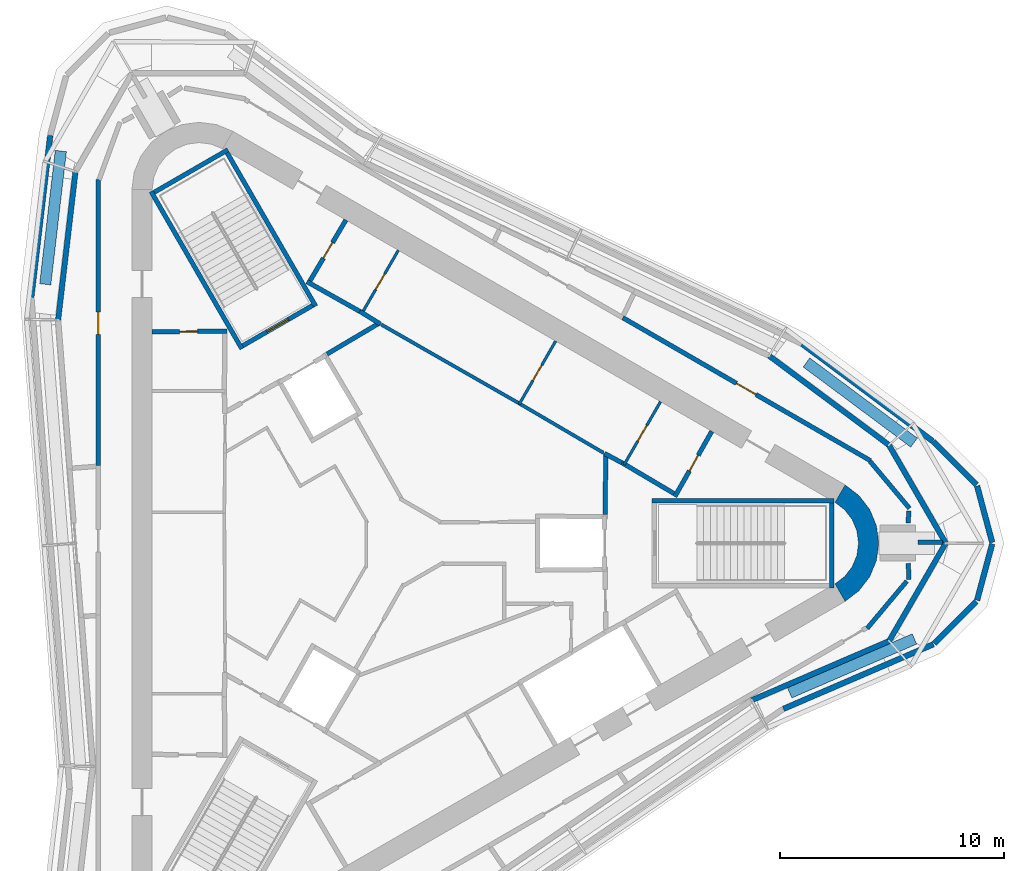
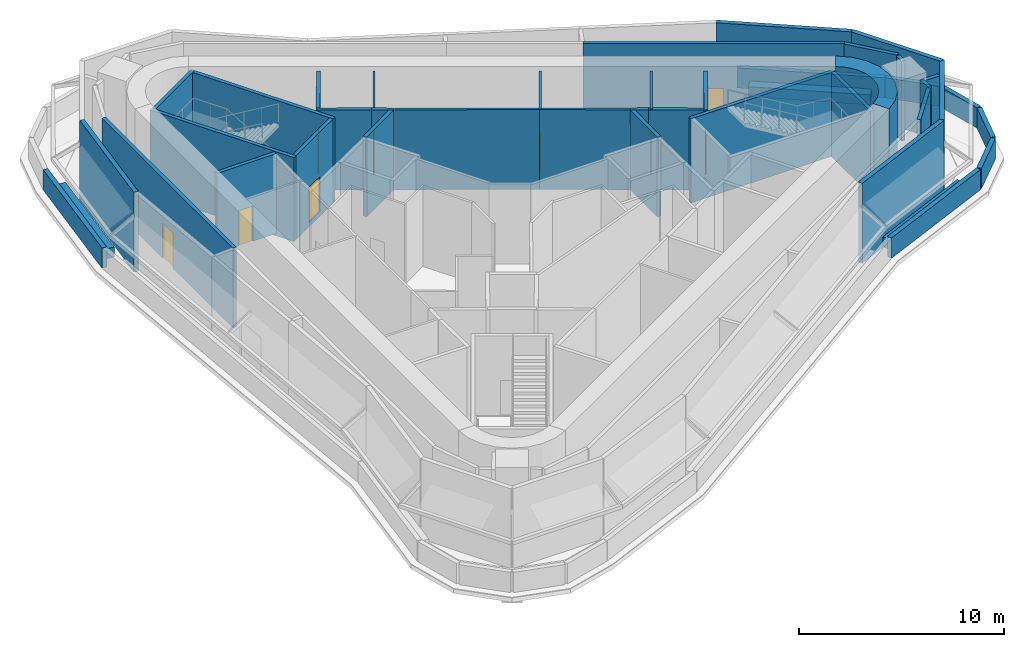
# One storey, part 5 of 7: 43 walls, 9 doors, 9 openings.
"""IFC4 building model written with IfcOpenShell, lengths in metres."""

from ifc_helpers import new_model, si_unit, direction, frame, frame_2d, origin, place, context, subcontext, project, spatial, polyline, rectangle, outline, extrude, material, layer, layer_set, type_object, element, fill, save


model = new_model("IFC4")

# Units and contexts
model_context = context("Model", 3, precision=1e-05, world=origin(), true_north=direction((0.0, 1.0)))
body_context = subcontext(model_context, "Body", "Model", "MODEL_VIEW")
ifc_project = project(units=[si_unit("LENGTHUNIT", "METRE"), si_unit("AREAUNIT", "SQUARE_METRE"), si_unit("VOLUMEUNIT", "CUBIC_METRE"), si_unit("PLANEANGLEUNIT", "RADIAN"), si_unit("MASSUNIT", "GRAM", prefix="KILO")], contexts=[model_context])

# Site, building, storey
site_placement = place(None, origin())
site = spatial("IfcSite", under=ifc_project, at=site_placement, CompositionType="ELEMENT")
building_placement = place(site_placement, origin())
building = spatial("IfcBuilding", under=site, at=building_placement, Name="Tanit Gate Tower", CompositionType="ELEMENT")
storey_placement = place(building_placement, frame((0.0, 0.0, 425.300048828125)))
storey = spatial("IfcBuildingStorey", under=building, at=storey_placement, Name="L96", CompositionType="ELEMENT", Elevation=425.300048828125)

# Walls
ifc_material_1 = material(Name="Concrete C40/50", Category="concrete")
ifc_layer_1 = layer(ifc_material_1, 0.89990234375)
ifc_layer_set_1 = layer_set([ifc_layer_1], Name="CORE WALL 900 C40/50")
wall_type_1 = type_object("IfcWallType", Name="CORE WALL 900 C40/50", PredefinedType="SHEAR", material=ifc_layer_set_1)
wall_1_placement = place(storey_placement, origin())
element("IfcWall", 1, at=wall_1_placement, inside=storey, type_object=wall_type_1, Name="CORE WALL CORNER", PredefinedType="SHEAR", context=body_context, shape_type="SweptSolid", body=[
    extrude(outline(polyline([(19.699951171875, -2.59814453125), (20.3212890625, -2.121337890625), (20.798095703125, -1.5), (21.097900390625, -0.776611328125), (21.199951171875, 0.0), (21.097900390625, 0.776611328125), (20.798095703125, 1.5), (20.3212890625, 2.121337890625), (19.699951171875, 2.59814453125), (19.25, 1.818603515625), (19.684814453125, 1.48486328125), (20.018798828125, 1.050048828125), (20.228515625, 0.54345703125), (20.300048828125, 0.0), (20.228515625, -0.54345703125), (20.018798828125, -1.050048828125), (19.684814453125, -1.48486328125), (19.25, -1.818603515625), (19.699951171875, -2.59814453125)])), origin(), (0.0, 0.0, 1.0), 5.0),
])
ifc_material_2 = material(Name="Concrete C30/37 with bronze anodised aluminium cladding", Category="concrete")
ifc_layer_2 = layer(ifc_material_2, 0.239990234375)
ifc_layer_set_2 = layer_set([ifc_layer_2], Name="Facade wall bronze clad 240")
wall_type_2 = type_object("IfcWallType", Name="Facade wall bronze clad 240", PredefinedType="SOLIDWALL", material=ifc_layer_set_2)
for number, where, z_axis, x_axis, name in (
    (2, (21.654052734375, 4.375, 0.0), (0.0, 0.0, 1.0), (-0.802005747834, 0.597316315231, 0.0), "Bronze-clad facade wall L96 NE1"),
    (3, (-14.61572265625, 16.5654296875, 0.0), (0.0, 0.0, 1.0), (-0.11631164826, -0.993212766973, 0.0), "Bronze-clad facade wall L96 W1"),
):
    element("IfcWall", number, at=place(storey_placement, frame(where, z_axis=z_axis, x_axis=x_axis)), inside=storey, type_object=wall_type_2, Name=name, PredefinedType="SOLIDWALL", context=body_context, shape_type="SweptSolid", body=[
        extrude(rectangle(XDim=6.66015625, YDim=0.239990234375, at=frame_2d((3.330078125, 0.0))), origin(), (0.0, 0.0, 1.0), 4.75),
    ])
wall_2_placement = place(storey_placement, frame((15.53955078125, -7.005126953125, 0.0), z_axis=(0.0, 0.0, 1.0), x_axis=(0.918309861651, 0.395862347281, 0.0)))
element("IfcWall", 4, at=wall_2_placement, inside=storey, type_object=wall_type_2, Name="Bronze-clad facade wall L96 SE3", PredefinedType="SOLIDWALL", context=body_context, shape_type="SweptSolid", body=[
    extrude(rectangle(XDim=6.66943359375, YDim=0.239990234375, at=frame_2d((3.334716796875, 0.0))), origin(), (0.0, 0.0, 1.0), 4.75),
])
wall_3_placement = place(storey_placement, frame((21.6640625, -4.364990234375, 0.0), z_axis=(0.0, 0.0, 1.0), x_axis=(0.500383284559, 0.865804001223, 0.0)))
element("IfcWall", 5, at=wall_3_placement, inside=storey, type_object=wall_type_2, Name="Bronze-clad facade wall L96 E.arc1", PredefinedType="SOLIDWALL", context=body_context, shape_type="SweptSolid", body=[
    extrude(rectangle(XDim=5.04150390625, YDim=0.239990234375, at=frame_2d((2.520751953125, 0.0))), origin(), (0.0, 0.0, 1.0), 4.75),
])
wall_4_placement = place(storey_placement, frame((24.186767578125, 0.0, 0.0), z_axis=(0.0, 0.0, 1.0), x_axis=(-0.501009618021, 0.86544171534, 0.0)))
element("IfcWall", 6, at=wall_4_placement, inside=storey, type_object=wall_type_2, Name="Bronze-clad facade wall L96 E.arc2", PredefinedType="SOLIDWALL", context=body_context, shape_type="SweptSolid", body=[
    extrude(rectangle(XDim=5.05517578125, YDim=0.239990234375, at=frame_2d((2.527587890625, 0.0))), origin(), (0.0, 0.0, 1.0), 4.75),
])

# Wall, opening, door
ifc_material_3 = material(Name="Fire-rated gypsum board partition")
ifc_layer_3 = layer(ifc_material_3, 0.199951171875)
ifc_layer_set_3 = layer_set([ifc_layer_3], Name="INT-WALL-COMPARTMENT")
wall_type_3 = type_object("IfcWallType", Name="INT-WALL-COMPARTMENT", PredefinedType="PARTITIONING", material=ifc_layer_set_3)
wall_5_placement = place(storey_placement, frame((-7.85009765625, 9.450927734375, 0.0), z_axis=(0.0, 0.0, 1.0), x_axis=(-0.999957167047, -0.009255488683, 0.0)))
wall_5 = element("IfcWall", 7, at=wall_5_placement, inside=storey, type_object=wall_type_3, Name="Wall Compartment W034", PredefinedType="PARTITIONING", context=body_context, shape_type="SweptSolid", body=[
    extrude(rectangle(XDim=3.35009765625, YDim=0.199951171875, at=frame_2d((1.675048828125, 0.0))), origin(), (0.0, 0.0, 1.0), 4.75),
])
opening_1_placement = place(wall_5_placement, frame((1.3251953125, 0.0, 0.0)))
opening_1 = element("IfcOpeningElement", 8, at=opening_1_placement, cuts=wall_5, Name="Opening R08-96-14", PredefinedType="OPENING", context=body_context, shape_type="SweptSolid", body=[
    extrude(rectangle(XDim=0.800048828125, YDim=2.10009765625, at=frame_2d((0.39990234375, 1.050048828125))), frame((0.0, 0.10986328125, 0.0), z_axis=(0.0, -1.0, 0.0), x_axis=(1.0, 0.0, 0.0)), (0.0, 0.0, 1.0), 0.219970703125),
])
ifc_material_4 = material(Name="Timber door leaf", Category="wood")
door_type_1 = type_object("IfcDoorType", Name="INT-DOOR-RISER-800", OperationType="NOTDEFINED", PredefinedType="USERDEFINED", material=ifc_material_4)
door_1_placement = place(opening_1_placement, origin())
door_1 = element("IfcDoor", 9, at=door_1_placement, inside=storey, type_object=door_type_1, Name="Door R08-96-14", ObjectType="FIRE DOOR", OperationType="SINGLE_SWING_RIGHT", OverallHeight=2.10009765625, OverallWidth=0.800048828125, PredefinedType="USERDEFINED", context=body_context, shape_type="SweptSolid", body=[
    extrude(rectangle(XDim=0.800048828125, YDim=2.10009765625, at=frame_2d((0.39990234375, 1.050048828125))), frame((0.0, 0.02490234375, 0.0), z_axis=(0.0, -1.0, 0.0), x_axis=(1.0, 0.0, 0.0)), (0.0, 0.0, 1.0), 0.050048828125),
])
fill(opening_1, door_1)

wall_6_placement = place(storey_placement, frame((12.10986328125, 2.07275390625, 0.0), z_axis=(0.0, 0.0, 1.0), x_axis=(0.49196600604, 0.870614408852, 0.0)))
wall_6 = element("IfcWall", 10, at=wall_6_placement, inside=storey, type_object=wall_type_3, Name="Wall Compartment W047", PredefinedType="PARTITIONING", context=body_context, shape_type="SweptSolid", body=[
    extrude(rectangle(XDim=3.35009765625, YDim=0.199951171875, at=frame_2d((1.675048828125, 0.0))), origin(), (0.0, 0.0, 1.0), 4.75),
])
opening_2_placement = place(wall_6_placement, frame((1.3251953125, 0.0, 0.0)))
opening_2 = element("IfcOpeningElement", 11, at=opening_2_placement, cuts=wall_6, Name="Opening R08-96-18", PredefinedType="OPENING", context=body_context, shape_type="SweptSolid", body=[
    extrude(rectangle(XDim=0.800048828125, YDim=2.10009765625, at=frame_2d((0.39990234375, 1.050048828125))), frame((0.0, 0.10986328125, 0.0), z_axis=(0.0, -1.0, 0.0), x_axis=(1.0, 0.0, 0.0)), (0.0, 0.0, 1.0), 0.219970703125),
])
door_2_placement = place(opening_2_placement, origin())
door_2 = element("IfcDoor", 12, at=door_2_placement, inside=storey, type_object=door_type_1, Name="Door R08-96-18", ObjectType="FIRE DOOR", OperationType="SINGLE_SWING_LEFT", OverallHeight=2.10009765625, OverallWidth=0.800048828125, PredefinedType="USERDEFINED", context=body_context, shape_type="SweptSolid", body=[
    extrude(rectangle(XDim=0.800048828125, YDim=2.10009765625, at=frame_2d((0.39990234375, 1.050048828125))), frame((0.0, 0.02490234375, 0.0), z_axis=(0.0, -1.0, 0.0), x_axis=(1.0, 0.0, 0.0)), (0.0, 0.0, 1.0), 0.050048828125),
])
fill(opening_2, door_2)

# Walls
wall_7_placement = place(storey_placement, frame((9.749755859375, 3.5869140625, 0.0), z_axis=(0.0, 0.0, 1.0), x_axis=(0.860414880418, -0.509594185166, 0.0)))
element("IfcWall", 13, at=wall_7_placement, inside=storey, type_object=wall_type_3, Name="Wall Compartment W048", PredefinedType="PARTITIONING", context=body_context, shape_type="SweptSolid", body=[
    extrude(rectangle(XDim=2.7001953125, YDim=0.199951171875, at=frame_2d((1.35009765625, 0.0))), origin(), (0.0, 0.0, 1.0), 4.75),
])
wall_8_placement = place(storey_placement, frame((8.97412109375, 3.998779296875, 0.0), z_axis=(0.0, 0.0, 1.0), x_axis=(0.880917147855, -0.473270513147, 0.0)))
element("IfcWall", 14, at=wall_8_placement, inside=storey, type_object=wall_type_3, Name="Wall Compartment W050", PredefinedType="PARTITIONING", context=body_context, shape_type="SweptSolid", body=[
    extrude(rectangle(XDim=0.8779296875, YDim=0.199951171875, at=frame_2d((0.43896484375, 0.0))), origin(), (0.0, 0.0, 1.0), 4.75),
])
wall_9_placement = place(storey_placement, frame((-1.940673828125, 10.338623046875, 0.0), z_axis=(0.0, 0.0, 1.0), x_axis=(0.850216889117, -0.526432561171, 0.0)))
element("IfcWall", 15, at=wall_9_placement, inside=storey, type_object=wall_type_3, Name="Wall Compartment W053", PredefinedType="PARTITIONING", context=body_context, shape_type="SweptSolid", body=[
    extrude(rectangle(XDim=1.078369140625, YDim=0.199951171875, at=frame_2d((0.5390625, 0.0))), origin(), (0.0, 0.0, 1.0), 4.75),
])
wall_10_placement = place(storey_placement, frame((-4.296142578125, 11.658935546875, 0.0), z_axis=(0.0, 0.0, 1.0), x_axis=(0.871534483978, -0.490334215854, 0.0)))
element("IfcWall", 16, at=wall_10_placement, inside=storey, type_object=wall_type_3, Name="Wall Compartment W055", PredefinedType="PARTITIONING", context=body_context, shape_type="SweptSolid", body=[
    extrude(rectangle(XDim=2.7001953125, YDim=0.199951171875, at=frame_2d((1.35009765625, 0.0))), origin(), (0.0, 0.0, 1.0), 4.75),
])

# Wall, opening, door
wall_11_placement = place(storey_placement, frame((-2.557861328125, 14.409423828125, 0.0), z_axis=(0.0, 0.0, 1.0), x_axis=(-0.508018930956, -0.861345903683, 0.0)))
wall_11 = element("IfcWall", 17, at=wall_11_placement, inside=storey, type_object=wall_type_3, Name="Wall Compartment W056", PredefinedType="PARTITIONING", context=body_context, shape_type="SweptSolid", body=[
    extrude(rectangle(XDim=3.150146484375, YDim=0.199951171875, at=frame_2d((1.5751953125, 0.0))), origin(), (0.0, 0.0, 1.0), 4.75),
])
opening_3_placement = place(wall_11_placement, frame((1.175048828125, 0.0, 0.0)))
opening_3 = element("IfcOpeningElement", 18, at=opening_3_placement, cuts=wall_11, Name="Opening R08-96-20", PredefinedType="OPENING", context=body_context, shape_type="SweptSolid", body=[
    extrude(rectangle(XDim=0.800048828125, YDim=2.10009765625, at=frame_2d((0.39990234375, 1.050048828125))), frame((0.0, 0.10986328125, 0.0), z_axis=(0.0, -1.0, 0.0), x_axis=(1.0, 0.0, 0.0)), (0.0, 0.0, 1.0), 0.219970703125),
])
door_3_placement = place(opening_3_placement, origin())
door_3 = element("IfcDoor", 19, at=door_3_placement, inside=storey, type_object=door_type_1, Name="Door R08-96-20", ObjectType="FIRE DOOR", OperationType="SINGLE_SWING_LEFT", OverallHeight=2.10009765625, OverallWidth=0.800048828125, PredefinedType="USERDEFINED", context=body_context, shape_type="SweptSolid", body=[
    extrude(rectangle(XDim=0.800048828125, YDim=2.10009765625, at=frame_2d((0.39990234375, 1.050048828125))), frame((0.0, 0.02490234375, 0.0), z_axis=(0.0, -1.0, 0.0), x_axis=(1.0, 0.0, 0.0)), (0.0, 0.0, 1.0), 0.050048828125),
])
fill(opening_3, door_3)

# Walls
for number, where, z_axis, x_axis, name in (
    (20, (9.0009765625, 1.27001953125, 0.0), (0.0, 0.0, 1.0), (0.01074821465, 0.999942236273, 0.0), "Wall Compartment W064"),
    (21, (-1.0546875, 9.818359375, 0.0), (0.0, 0.0, 1.0), (-0.860614334655, -0.50925726994, 0.0), "Wall Compartment W066"),
):
    element("IfcWall", number, at=place(storey_placement, frame(where, z_axis=z_axis, x_axis=x_axis)), inside=storey, type_object=wall_type_3, Name=name, PredefinedType="PARTITIONING", context=body_context, shape_type="SweptSolid", body=[
        extrude(rectangle(XDim=2.725830078125, YDim=0.199951171875, at=frame_2d((1.36279296875, 0.0))), origin(), (0.0, 0.0, 1.0), 4.75),
    ])

# Wall, opening, door
wall_12_placement = place(storey_placement, frame((-13.60009765625, 16.20556640625, 0.0), z_axis=(0.0, 0.0, 1.0), x_axis=(0.0, -1.0, 0.0)))
wall_12 = element("IfcWall", 22, at=wall_12_placement, inside=storey, type_object=wall_type_3, Name="Wall Compartment W090", PredefinedType="PARTITIONING", context=body_context, shape_type="SweptSolid", body=[
    extrude(rectangle(XDim=12.750244140625, YDim=0.199951171875, at=frame_2d((6.375, 0.0))), origin(), (0.0, 0.0, 1.0), 4.75),
])
opening_4_placement = place(wall_12_placement, frame((5.89990234375, 0.0, 0.0)))
opening_4 = element("IfcOpeningElement", 23, at=opening_4_placement, cuts=wall_12, Name="Opening F10-96-24", PredefinedType="OPENING", context=body_context, shape_type="SweptSolid", body=[
    extrude(rectangle(XDim=1.0, YDim=2.10009765625, at=frame_2d((0.5, 1.050048828125))), frame((0.0, 0.10986328125, 0.0), z_axis=(0.0, -1.0, 0.0), x_axis=(1.0, 0.0, 0.0)), (0.0, 0.0, 1.0), 0.219970703125),
])
ifc_material_5 = material(Name="Fire-rated steel door leaf", Category="steel")
door_type_2 = type_object("IfcDoorType", Name="INT-DOOR-FIRE-1000", OperationType="NOTDEFINED", PredefinedType="USERDEFINED", material=ifc_material_5)
door_4_placement = place(opening_4_placement, origin())
door_4 = element("IfcDoor", 24, at=door_4_placement, inside=storey, type_object=door_type_2, Name="Door F10-96-24", ObjectType="FIRE DOOR", OperationType="SINGLE_SWING_LEFT", OverallHeight=2.10009765625, OverallWidth=1.0, PredefinedType="USERDEFINED", context=body_context, shape_type="SweptSolid", body=[
    extrude(rectangle(XDim=1.0, YDim=2.10009765625, at=frame_2d((0.5, 1.050048828125))), frame((0.0, 0.02490234375, 0.0), z_axis=(0.0, -1.0, 0.0), x_axis=(1.0, 0.0, 0.0)), (0.0, 0.0, 1.0), 0.050048828125),
])
fill(opening_4, door_4)

wall_13_placement = place(storey_placement, frame((20.83447265625, 3.67529296875, 0.0), z_axis=(0.0, 0.0, 1.0), x_axis=(-0.866033490305, 0.499985993474, 0.0)))
wall_13 = element("IfcWall", 25, at=wall_13_placement, inside=storey, type_object=wall_type_3, Name="Wall Compartment W102", PredefinedType="PARTITIONING", context=body_context, shape_type="SweptSolid", body=[
    extrude(rectangle(XDim=12.750244140625, YDim=0.199951171875, at=frame_2d((6.375, 0.0))), origin(), (0.0, 0.0, 1.0), 4.75),
])
opening_5_placement = place(wall_13_placement, frame((5.89990234375, 0.0, 0.0)))
opening_5 = element("IfcOpeningElement", 26, at=opening_5_placement, cuts=wall_13, Name="Opening F10-96-27", PredefinedType="OPENING", context=body_context, shape_type="SweptSolid", body=[
    extrude(rectangle(XDim=1.0, YDim=2.10009765625, at=frame_2d((0.5, 1.050048828125))), frame((0.0, 0.10986328125, 0.0), z_axis=(0.0, -1.0, 0.0), x_axis=(1.0, 0.0, 0.0)), (0.0, 0.0, 1.0), 0.219970703125),
])
door_5_placement = place(opening_5_placement, origin())
door_5 = element("IfcDoor", 27, at=door_5_placement, inside=storey, type_object=door_type_2, Name="Door F10-96-27", ObjectType="FIRE DOOR", OperationType="SINGLE_SWING_RIGHT", OverallHeight=2.10009765625, OverallWidth=1.0, PredefinedType="USERDEFINED", context=body_context, shape_type="SweptSolid", body=[
    extrude(rectangle(XDim=1.0, YDim=2.10009765625, at=frame_2d((0.5, 1.050048828125))), frame((0.0, 0.02490234375, 0.0), z_axis=(0.0, -1.0, 0.0), x_axis=(1.0, 0.0, 0.0)), (0.0, 0.0, 1.0), 0.050048828125),
])
fill(opening_5, door_5)

# Walls
wall_14_placement = place(storey_placement, frame((22.5712890625, 1.552001953125, 0.0), z_axis=(0.0, 0.0, 1.0), x_axis=(-0.642777788023, 0.766052684366, 0.0)))
element("IfcWall", 28, at=wall_14_placement, inside=storey, type_object=wall_type_3, Name="Wall Compartment W103", PredefinedType="PARTITIONING", context=body_context, shape_type="SweptSolid", body=[
    extrude(rectangle(XDim=2.737060546875, YDim=0.199951171875, at=frame_2d((1.36865234375, 0.0))), origin(), (0.0, 0.0, 1.0), 4.75),
])
wall_15_placement = place(storey_placement, frame((22.51611328125, 0.89990234375, 0.0), z_axis=(0.0, 0.0, 1.0), x_axis=(0.044289222506, 0.99901875096, 0.0)))
element("IfcWall", 29, at=wall_15_placement, inside=storey, type_object=wall_type_3, Name="Wall Compartment W104", PredefinedType="PARTITIONING", context=body_context, shape_type="SweptSolid", body=[
    extrude(rectangle(XDim=0.53466796875, YDim=0.199951171875, at=frame_2d((0.267333984375, 0.0))), origin(), (0.0, 0.0, 1.0), 4.75),
])
wall_16_placement = place(storey_placement, frame((22.951171875, 0.030029296875, 0.0), z_axis=(0.0, 0.0, 1.0), x_axis=(1.0, 0.0, 0.0)))
element("IfcWall", 30, at=wall_16_placement, inside=storey, type_object=wall_type_3, Name="Wall Compartment W110", PredefinedType="PARTITIONING", context=body_context, shape_type="SweptSolid", body=[
    extrude(rectangle(XDim=1.09814453125, YDim=0.199951171875, at=frame_2d((0.549072265625, 0.0))), origin(), (0.0, 0.0, 1.0), 3.929931640625),
])
wall_17_placement = place(storey_placement, frame((22.5478515625, -1.620849609375, 0.0), z_axis=(0.0, 0.0, 1.0), x_axis=(-0.043980430429, 0.999032392738, 0.0)))
element("IfcWall", 31, at=wall_17_placement, inside=storey, type_object=wall_type_3, Name="Wall Compartment W116", PredefinedType="PARTITIONING", context=body_context, shape_type="SweptSolid", body=[
    extrude(rectangle(XDim=0.7216796875, YDim=0.199951171875, at=frame_2d((0.36083984375, 0.0))), origin(), (0.0, 0.0, 1.0), 4.75),
])
wall_18_placement = place(storey_placement, frame((20.68359375, -3.8017578125, 0.0), z_axis=(0.0, 0.0, 1.0), x_axis=(0.642800550542, 0.766033584265, 0.0)))
element("IfcWall", 32, at=wall_18_placement, inside=storey, type_object=wall_type_3, Name="Wall Compartment W117", PredefinedType="PARTITIONING", context=body_context, shape_type="SweptSolid", body=[
    extrude(rectangle(XDim=2.749755859375, YDim=0.199951171875, at=frame_2d((1.375, 0.0))), origin(), (0.0, 0.0, 1.0), 4.75),
])

# Wall, opening, door
ifc_material_6 = material(Name="Gypsum board partition")
ifc_layer_4 = layer(ifc_material_6, 0.1201171875)
ifc_layer_set_4 = layer_set([ifc_layer_4], Name="INT-WALL-PARTITION")
wall_type_4 = type_object("IfcWallType", Name="INT-WALL-PARTITION", PredefinedType="PARTITIONING", material=ifc_layer_set_4)
wall_19_placement = place(storey_placement, frame((9.8466796875, 3.494873046875, 0.0), z_axis=(0.0, 0.0, 1.0), x_axis=(0.499984717929, 0.866034226713, 0.0)))
wall_19 = element("IfcWall", 33, at=wall_19_placement, inside=storey, type_object=wall_type_4, Name="Wall Partition W046", PredefinedType="PARTITIONING", context=body_context, shape_type="SweptSolid", body=[
    extrude(rectangle(XDim=3.25, YDim=0.1201171875, at=frame_2d((1.625, 0.0))), origin(), (0.0, 0.0, 1.0), 4.75),
])
opening_6_placement = place(wall_19_placement, frame((1.22509765625, 0.0, 0.0)))
opening_6 = element("IfcOpeningElement", 34, at=opening_6_placement, cuts=wall_19, Name="Opening R08-96-33", PredefinedType="OPENING", context=body_context, shape_type="SweptSolid", body=[
    extrude(rectangle(XDim=0.800048828125, YDim=2.10009765625, at=frame_2d((0.39990234375, 1.050048828125))), frame((0.0, 0.070068359375, 0.0), z_axis=(0.0, -1.0, 0.0), x_axis=(1.0, 0.0, 0.0)), (0.0, 0.0, 1.0), 0.14013671875),
])
door_6_placement = place(opening_6_placement, origin())
door_6 = element("IfcDoor", 35, at=door_6_placement, inside=storey, type_object=door_type_1, Name="Door R08-96-33", ObjectType="FIRE DOOR", OperationType="SINGLE_SWING_RIGHT", OverallHeight=2.10009765625, OverallWidth=0.800048828125, PredefinedType="USERDEFINED", context=body_context, shape_type="SweptSolid", body=[
    extrude(rectangle(XDim=0.800048828125, YDim=2.10009765625, at=frame_2d((0.39990234375, 1.050048828125))), frame((0.0, 0.02490234375, 0.0), z_axis=(0.0, -1.0, 0.0), x_axis=(1.0, 0.0, 0.0)), (0.0, 0.0, 1.0), 0.050048828125),
])
fill(opening_6, door_6)

wall_20_placement = place(storey_placement, frame((5.170166015625, 6.19482421875, 0.0), z_axis=(0.0, 0.0, 1.0), x_axis=(0.499984717929, 0.866034226713, 0.0)))
wall_20 = element("IfcWall", 36, at=wall_20_placement, inside=storey, type_object=wall_type_4, Name="Wall Partition W049", PredefinedType="PARTITIONING", context=body_context, shape_type="SweptSolid", body=[
    extrude(rectangle(XDim=3.25, YDim=0.1201171875, at=frame_2d((1.625, 0.0))), origin(), (0.0, 0.0, 1.0), 4.75),
])
opening_7_placement = place(wall_20_placement, frame((1.22509765625, 0.0, 0.0)))
opening_7 = element("IfcOpeningElement", 37, at=opening_7_placement, cuts=wall_20, Name="Opening R08-96-19", PredefinedType="OPENING", context=body_context, shape_type="SweptSolid", body=[
    extrude(rectangle(XDim=0.800048828125, YDim=2.10009765625, at=frame_2d((0.39990234375, 1.050048828125))), frame((0.0, 0.070068359375, 0.0), z_axis=(0.0, -1.0, 0.0), x_axis=(1.0, 0.0, 0.0)), (0.0, 0.0, 1.0), 0.14013671875),
])
door_7_placement = place(opening_7_placement, origin())
door_7 = element("IfcDoor", 38, at=door_7_placement, inside=storey, type_object=door_type_1, Name="Door R08-96-19", ObjectType="FIRE DOOR", OperationType="SINGLE_SWING_RIGHT", OverallHeight=2.10009765625, OverallWidth=0.800048828125, PredefinedType="USERDEFINED", context=body_context, shape_type="SweptSolid", body=[
    extrude(rectangle(XDim=0.800048828125, YDim=2.10009765625, at=frame_2d((0.39990234375, 1.050048828125))), frame((0.0, 0.02490234375, 0.0), z_axis=(0.0, -1.0, 0.0), x_axis=(1.0, 0.0, 0.0)), (0.0, 0.0, 1.0), 0.050048828125),
])
fill(opening_7, door_7)

wall_21_placement = place(storey_placement, frame((-0.2197265625, 13.0595703125, 0.0), z_axis=(0.0, 0.0, 1.0), x_axis=(-0.499984717929, -0.866034226713, 0.0)))
wall_21 = element("IfcWall", 39, at=wall_21_placement, inside=storey, type_object=wall_type_4, Name="Wall Partition W052", PredefinedType="PARTITIONING", context=body_context, shape_type="SweptSolid", body=[
    extrude(rectangle(XDim=3.25, YDim=0.1201171875, at=frame_2d((1.625, 0.0))), origin(), (0.0, 0.0, 1.0), 4.75),
])
opening_8_placement = place(wall_21_placement, frame((1.22509765625, 0.0, 0.0)))
opening_8 = element("IfcOpeningElement", 40, at=opening_8_placement, cuts=wall_21, Name="Opening R08-96-34", PredefinedType="OPENING", context=body_context, shape_type="SweptSolid", body=[
    extrude(rectangle(XDim=0.800048828125, YDim=2.10009765625, at=frame_2d((0.39990234375, 1.050048828125))), frame((0.0, 0.070068359375, 0.0), z_axis=(0.0, -1.0, 0.0), x_axis=(1.0, 0.0, 0.0)), (0.0, 0.0, 1.0), 0.14013671875),
])
door_8_placement = place(opening_8_placement, origin())
door_8 = element("IfcDoor", 41, at=door_8_placement, inside=storey, type_object=door_type_1, Name="Door R08-96-34", ObjectType="FIRE DOOR", OperationType="SINGLE_SWING_RIGHT", OverallHeight=2.10009765625, OverallWidth=0.800048828125, PredefinedType="USERDEFINED", context=body_context, shape_type="SweptSolid", body=[
    extrude(rectangle(XDim=0.800048828125, YDim=2.10009765625, at=frame_2d((0.39990234375, 1.050048828125))), frame((0.0, 0.02490234375, 0.0), z_axis=(0.0, -1.0, 0.0), x_axis=(1.0, 0.0, 0.0)), (0.0, 0.0, 1.0), 0.050048828125),
])
fill(opening_8, door_8)

# Walls
ifc_material_7 = material(Name="Fire-rated gypsum board partition")
ifc_layer_5 = layer(ifc_material_7, 0.14990234375)
ifc_layer_set_5 = layer_set([ifc_layer_5], Name="INT-WALL-RISER")
wall_type_5 = type_object("IfcWallType", Name="INT-WALL-RISER", PredefinedType="PLUMBINGWALL", material=ifc_layer_set_5)
wall_22_placement = place(storey_placement, frame((8.9306640625, 4.024658203125, 0.0), z_axis=(0.0, 0.0, 1.0), x_axis=(-0.862666884027, 0.505772525157, 0.0)))
element("IfcWall", 42, at=wall_22_placement, inside=storey, type_object=wall_type_5, Name="Wall Riser W051", PredefinedType="PLUMBINGWALL", context=body_context, shape_type="SweptSolid", body=[
    extrude(rectangle(XDim=4.371826171875, YDim=0.14990234375, at=frame_2d((2.18603515625, 0.0))), origin(), (0.0, 0.0, 1.0), 4.75),
])
wall_23_placement = place(storey_placement, frame((5.1591796875, 6.23583984375, 0.0), z_axis=(0.0, 0.0, 1.0), x_axis=(-0.868105023632, 0.496380567654, 0.0)))
element("IfcWall", 43, at=wall_23_placement, inside=storey, type_object=wall_type_5, Name="Wall Riser W054", PredefinedType="PLUMBINGWALL", context=body_context, shape_type="SweptSolid", body=[
    extrude(rectangle(XDim=7.072265625, YDim=0.14990234375, at=frame_2d((3.5361328125, 0.0))), origin(), (0.0, 0.0, 1.0), 4.75),
])
ifc_material_8 = material(Name="Concrete C40/50", Category="concrete")
ifc_layer_6 = layer(ifc_material_8, 0.199951171875)
ifc_layer_set_6 = layer_set([ifc_layer_6], Name="INT-WALL-STAIR")
wall_type_6 = type_object("IfcWallType", Name="INT-WALL-STAIR", PredefinedType="SHEAR", material=ifc_layer_set_6)
wall_24_placement = place(storey_placement, frame((19.199951171875, 1.89990234375, -0.25), z_axis=(0.0, 0.0, 1.0), x_axis=(-1.0, 0.0, 0.0)))
element("IfcWall", 44, at=wall_24_placement, inside=storey, type_object=wall_type_6, Name="Wall Stair W006", PredefinedType="SHEAR", context=body_context, shape_type="SweptSolid", body=[
    extrude(rectangle(XDim=8.099853515625, YDim=0.199951171875, at=frame_2d((4.0498046875, 0.0))), origin(), (0.0, 0.0, 1.0), 5.0),
])
wall_25_placement = place(storey_placement, frame((19.10009765625, -2.0, -0.25), z_axis=(0.0, 0.0, 1.0), x_axis=(0.0, 1.0, 0.0)))
element("IfcWall", 45, at=wall_25_placement, inside=storey, type_object=wall_type_6, Name="Wall Stair W007", PredefinedType="SHEAR", context=body_context, shape_type="SweptSolid", body=[
    extrude(rectangle(XDim=3.800048828125, YDim=0.199951171875, at=frame_2d((1.89990234375, 0.0))), origin(), (0.0, 0.0, 1.0), 5.0),
])
wall_26_placement = place(storey_placement, frame((-11.245361328125, 15.677734375, -0.25), z_axis=(0.0, 0.0, 1.0), x_axis=(0.499977274689, -0.866038523851, 0.0)))
element("IfcWall", 46, at=wall_26_placement, inside=storey, type_object=wall_type_6, Name="Wall Stair W015", PredefinedType="SHEAR", context=body_context, shape_type="SweptSolid", body=[
    extrude(rectangle(XDim=8.10009765625, YDim=0.199951171875, at=frame_2d((4.050048828125, 0.0))), origin(), (0.0, 0.0, 1.0), 5.0),
])
wall_27_placement = place(storey_placement, frame((-7.81787109375, 17.541015625, -0.25), z_axis=(0.0, 0.0, 1.0), x_axis=(-0.866044365799, -0.499967155389, 0.0)))
element("IfcWall", 47, at=wall_27_placement, inside=storey, type_object=wall_type_6, Name="Wall Stair W016", PredefinedType="SHEAR", context=body_context, shape_type="SweptSolid", body=[
    extrude(rectangle(XDim=3.800048828125, YDim=0.199951171875, at=frame_2d((1.89990234375, 0.0))), origin(), (0.0, 0.0, 1.0), 5.0),
])
wall_28_placement = place(storey_placement, frame((-7.8544921875, 17.404541015625, -0.25), z_axis=(0.0, 0.0, 1.0), x_axis=(0.499997992926, -0.866026562566, 0.0)))
element("IfcWall", 48, at=wall_28_placement, inside=storey, type_object=wall_type_6, Name="Wall Stair W017", PredefinedType="SHEAR", context=body_context, shape_type="SweptSolid", body=[
    extrude(rectangle(XDim=7.89990234375, YDim=0.199951171875, at=frame_2d((3.949951171875, 0.0))), origin(), (0.0, 0.0, 1.0), 5.0),
])

# Wall, opening, door
wall_29_placement = place(storey_placement, frame((-7.158935546875, 8.799560546875, -0.25), z_axis=(0.0, 0.0, 1.0), x_axis=(0.866047807691, 0.499961193289, 0.0)))
wall_29 = element("IfcWall", 49, at=wall_29_placement, inside=storey, type_object=wall_type_6, Name="Wall Stair W018", PredefinedType="SHEAR", context=body_context, shape_type="SweptSolid", body=[
    extrude(rectangle(XDim=3.599853515625, YDim=0.199951171875, at=frame_2d((1.7998046875, 0.0))), origin(), (0.0, 0.0, 1.0), 5.0),
])
opening_9_placement = place(wall_29_placement, frame((1.25, 0.0, 0.25)))
opening_9 = element("IfcOpeningElement", 50, at=opening_9_placement, cuts=wall_29, Name="Opening S11-96-04", PredefinedType="OPENING", context=body_context, shape_type="SweptSolid", body=[
    extrude(rectangle(XDim=1.10009765625, YDim=2.10009765625, at=frame_2d((0.550048828125, 1.050048828125))), frame((0.0, 0.10986328125, 0.0), z_axis=(0.0, -1.0, 0.0), x_axis=(1.0, 0.0, 0.0)), (0.0, 0.0, 1.0), 0.219970703125),
])
ifc_material_9 = material(Name="Timber door leaf", Category="wood")
door_type_3 = type_object("IfcDoorType", Name="INT-DOOR-STAIR-1100", OperationType="NOTDEFINED", PredefinedType="USERDEFINED", material=ifc_material_9)
door_9_placement = place(opening_9_placement, origin())
door_9 = element("IfcDoor", 51, at=door_9_placement, inside=storey, type_object=door_type_3, Name="Door S11-96-04", ObjectType="FIRE DOOR", OperationType="SINGLE_SWING_RIGHT", OverallHeight=2.10009765625, OverallWidth=1.10009765625, PredefinedType="USERDEFINED", context=body_context, shape_type="SweptSolid", body=[
    extrude(rectangle(XDim=1.10009765625, YDim=2.10009765625, at=frame_2d((0.550048828125, 1.050048828125))), frame((0.0, 0.02490234375, 0.0), z_axis=(0.0, -1.0, 0.0), x_axis=(1.0, 0.0, 0.0)), (0.0, 0.0, 1.0), 0.050048828125),
])
fill(opening_9, door_9)

# Walls
ifc_material_10 = material(Name="Concrete C30/37", Category="concrete")
ifc_layer_7 = layer(ifc_material_10, 0.25)
ifc_layer_set_7 = layer_set([ifc_layer_7], Name="Parapet wall 250")
wall_type_7 = type_object("IfcWallType", Name="Parapet wall 250", PredefinedType="PARAPET", material=ifc_layer_set_7)
wall_30_placement = place(storey_placement, frame((23.623779296875, 4.534912109375, 0.0400390625), z_axis=(0.0, 0.0, 1.0), x_axis=(0.707106781187, -0.707106781187, 0.0)))
element("IfcWall", 52, at=wall_30_placement, inside=storey, type_object=wall_type_7, Name="Terrace parapet L96 1", PredefinedType="PARAPET", context=body_context, shape_type="SweptSolid", body=[
    extrude(rectangle(XDim=2.728271484375, YDim=0.25, at=frame_2d((1.3642578125, 0.0))), origin(), (0.0, 0.0, 1.0), 1.199951171875),
])
for number, where, z_axis, x_axis, name in (
    (53, (25.585205078125, 2.5498046875, 0.0400390625), (0.0, 0.0, 1.0), (0.258834417317, -0.965921707186, 0.0), "Terrace parapet L96 2"),
    (54, (26.259765625, -0.032470703125, 0.0400390625), (0.0, 0.0, 1.0), (-0.258834417317, -0.965921707186, 0.0), "Terrace parapet L96 3"),
):
    element("IfcWall", number, at=place(storey_placement, frame(where, z_axis=z_axis, x_axis=x_axis)), inside=storey, type_object=wall_type_7, Name=name, PredefinedType="PARAPET", context=body_context, shape_type="SweptSolid", body=[
        extrude(rectangle(XDim=2.606201171875, YDim=0.25, at=frame_2d((1.30322265625, 0.0))), origin(), (0.0, 0.0, 1.0), 1.199951171875),
    ])
wall_31_placement = place(storey_placement, frame((25.552978515625, -2.605712890625, 0.0400390625), z_axis=(0.0, 0.0, 1.0), x_axis=(-0.707106781187, -0.707106781187, 0.0)))
element("IfcWall", 55, at=wall_31_placement, inside=storey, type_object=wall_type_7, Name="Terrace parapet L96 4", PredefinedType="PARAPET", context=body_context, shape_type="SweptSolid", body=[
    extrude(rectangle(XDim=2.654052734375, YDim=0.25, at=frame_2d((1.3271484375, 0.0))), origin(), (0.0, 0.0, 1.0), 1.199951171875),
])
wall_32_placement = place(storey_placement, frame((23.63720703125, -4.5087890625, 0.0400390625), z_axis=(0.0, 0.0, 1.0), x_axis=(-0.918296120804, -0.395894221372, 0.0)))
element("IfcWall", 56, at=wall_32_placement, inside=storey, type_object=wall_type_7, Name="Terrace parapet L96 5", PredefinedType="PARAPET", context=body_context, shape_type="SweptSolid", body=[
    extrude(rectangle(XDim=7.27734375, YDim=0.25, at=frame_2d((3.638671875, 0.0))), origin(), (0.0, 0.0, 1.0), 1.199951171875),
])
wall_33_placement = place(storey_placement, frame((-16.58642578125, 10.968505859375, 0.0400390625), z_axis=(0.0, 0.0, 1.0), x_axis=(0.116313997221, 0.993212491892, 0.0)))
element("IfcWall", 57, at=wall_33_placement, inside=storey, type_object=wall_type_7, Name="Terrace parapet L96 14", PredefinedType="PARAPET", context=body_context, shape_type="SweptSolid", body=[
    extrude(rectangle(XDim=7.254150390625, YDim=0.25, at=frame_2d((3.626953125, 0.0))), origin(), (0.0, 0.0, 1.0), 1.199951171875),
])
wall_34_placement = place(storey_placement, frame((17.792236328125, 8.880126953125, 0.0400390625), z_axis=(0.0, 0.0, 1.0), x_axis=(0.801990625962, -0.597336618557, 0.0)))
element("IfcWall", 58, at=wall_34_placement, inside=storey, type_object=wall_type_7, Name="Terrace parapet L96 21", PredefinedType="PARAPET", context=body_context, shape_type="SweptSolid", body=[
    extrude(rectangle(XDim=7.25439453125, YDim=0.25, at=frame_2d((3.627197265625, 0.0))), origin(), (0.0, 0.0, 1.0), 1.199951171875),
])
ifc_material_11 = material(Name="Concrete C30/37", Category="concrete")
ifc_layer_8 = layer(ifc_material_11, 0.5)
ifc_layer_set_8 = layer_set([ifc_layer_8], Name="Planter box 600")
wall_type_8 = type_object("IfcWallType", Name="Planter box 600", PredefinedType="PARAPET", material=ifc_layer_set_8)
wall_35_placement = place(storey_placement, frame((22.7939453125, -4.2734375, 0.0400390625), z_axis=(0.0, 0.0, 1.0), x_axis=(-0.918301368911, -0.395882047908, 0.0)))
element("IfcWall", 59, at=wall_35_placement, inside=storey, type_object=wall_type_8, Name="PLANTER", PredefinedType="PARAPET", context=body_context, shape_type="SweptSolid", body=[
    extrude(rectangle(XDim=6.062255859375, YDim=0.5, at=frame_2d((3.03125, 0.0))), origin(), (0.0, 0.0, 1.0), 0.599853515625),
])
for number, where, z_axis, x_axis, name in (
    (60, (-15.965576171875, 11.54150390625, 0.0400390625), (0.0, 0.0, 1.0), (0.116315544278, 0.993212310717, 0.0), "PLANTER"),
    (61, (17.97802734375, 8.055908203125, 0.0400390625), (0.0, 0.0, 1.0), (0.801984037466, -0.597345464242, 0.0), "PLANTER"),
):
    element("IfcWall", number, at=place(storey_placement, frame(where, z_axis=z_axis, x_axis=x_axis)), inside=storey, type_object=wall_type_8, Name=name, PredefinedType="PARAPET", context=body_context, shape_type="SweptSolid", body=[
        extrude(rectangle(XDim=5.98193359375, YDim=0.5, at=frame_2d((2.990966796875, 0.0))), origin(), (0.0, 0.0, 1.0), 0.599853515625),
    ])

save(model, "model.ifc")
